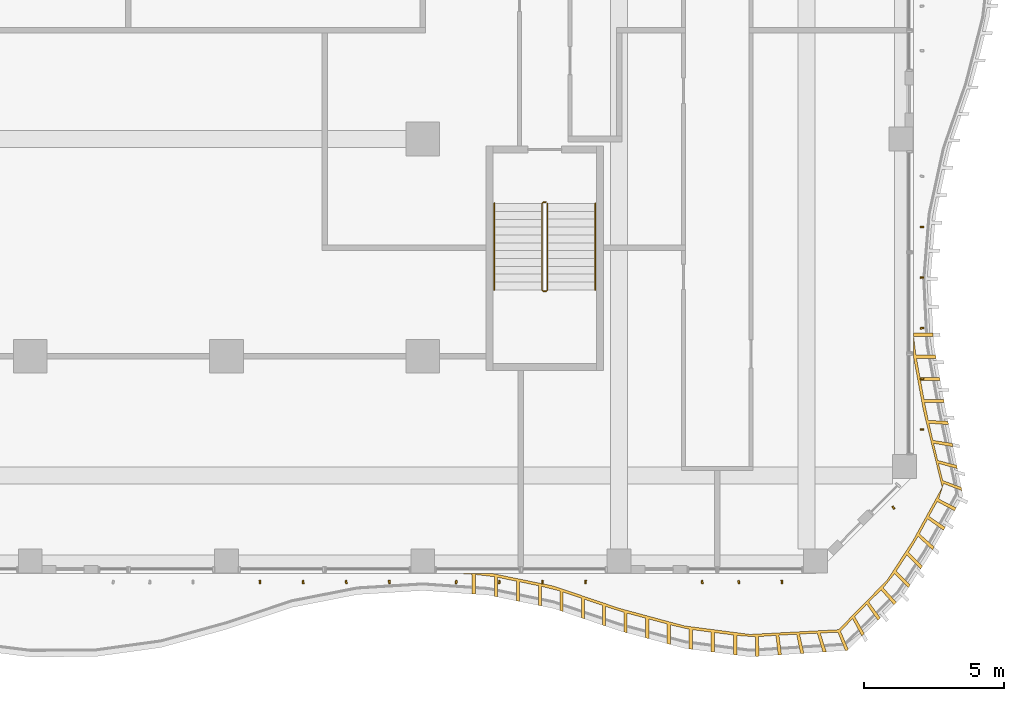
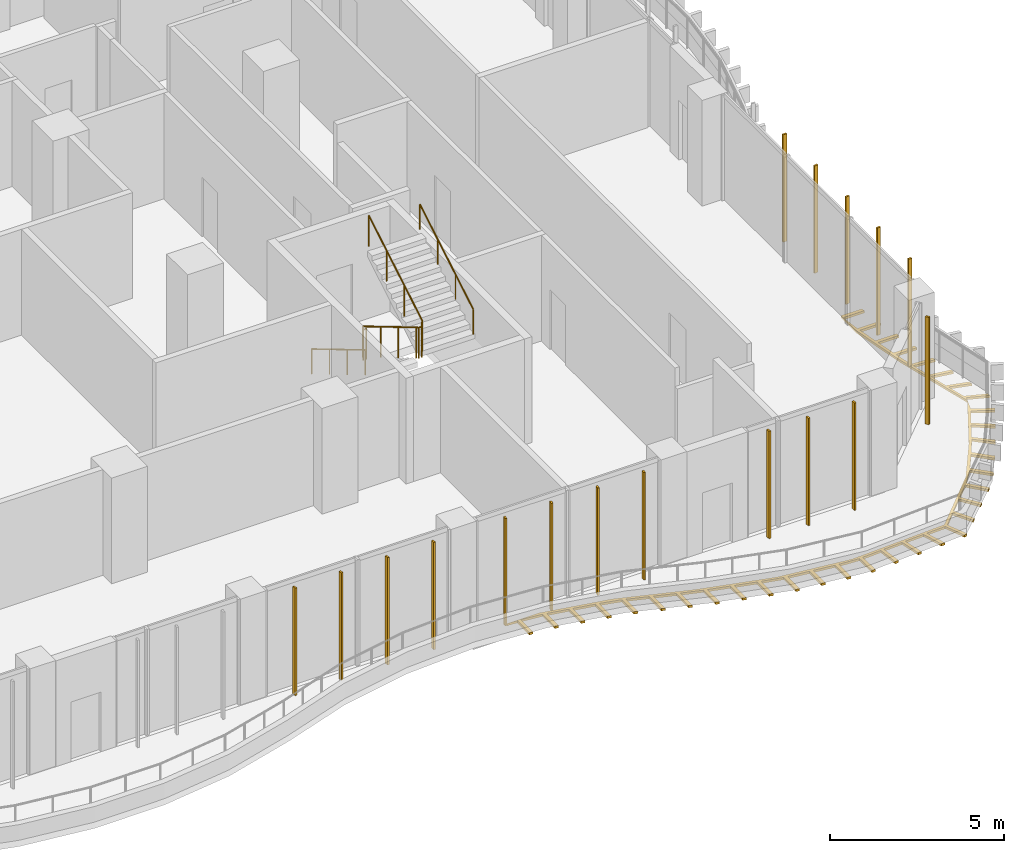
# One storey, part 22 of 27: 18 shading devices, 3 railings.
"""IFC4 building model written with IfcOpenShell, lengths in metres."""

import ifcopenshell
import ifcopenshell.guid

model = None  # the IFC model being written
_history = None  # IfcOwnerHistory: only IFC2X3 demands one
_inside = {}  # id of a spatial element -> (the spatial element, [elements in it])
_under = {}  # id of a project, library or spatial element -> (it, [spatial elements below it])
_declared = {}  # id of a project -> (the project, [libraries it declares])
_typed = {}  # id of a type object -> (the type object, [elements of that type])
_made_of = {}  # id of a material, layer set ... -> (it, [elements and type objects made of it])


def new_model(schema):
    """Start an empty IFC model of exactly this schema.

    Asked for "IFC4X3", IfcOpenShell would pick the latest addendum, in which some entities
    have other attributes; the version numbers below select the first issue.
    IFC2X3 requires an IfcOwnerHistory on every rooted entity: one is made here for all.
    """
    global model, _history
    if schema == "IFC4X3":
        model = ifcopenshell.file(schema_version=(4, 3, 0, 0))
    else:
        model = ifcopenshell.file(schema=schema)
    _inside.clear()
    _under.clear()
    _declared.clear()
    _typed.clear()
    _made_of.clear()
    _history = None
    if model.schema == "IFC2X3":
        org = make("IfcOrganization", Name="unknown")
        user = make(
            "IfcPersonAndOrganization",
            ThePerson=make("IfcPerson", FamilyName="unknown"),
            TheOrganization=org,
        )
        app = make(
            "IfcApplication",
            ApplicationDeveloper=org,
            Version="unknown",
            ApplicationFullName="unknown",
            ApplicationIdentifier="unknown",
        )
        _history = make(
            "IfcOwnerHistory",
            OwningUser=user,
            OwningApplication=app,
            ChangeAction="ADDED",
            CreationDate=0,
        )
    return model


def make(cls, **values):
    """One entity of the class cls with the attributes given. An attribute that is None is left unset."""
    return model.create_entity(
        cls, **{name: value for name, value in values.items() if value is not None}
    )


def rooted(cls, **values):
    """An entity with a GlobalId (a new one), such as an element, a storey or a relation."""
    return make(cls, GlobalId=ifcopenshell.guid.new(), OwnerHistory=_history, **values)


def si_unit(unit_type, name, prefix=None):
    """IfcSIUnit, for example si_unit("LENGTHUNIT", "METRE", prefix="MILLI")."""
    return make("IfcSIUnit", UnitType=unit_type, Prefix=prefix, Name=name)


def assignment(units):
    """IfcUnitAssignment: the units of a project."""
    return None if units is None else make("IfcUnitAssignment", Units=units)


def point(xyz):
    """IfcCartesianPoint."""
    return None if xyz is None else make("IfcCartesianPoint", Coordinates=xyz)


def direction(xyz):
    """IfcDirection."""
    return None if xyz is None else make("IfcDirection", DirectionRatios=xyz)


def frame(location, z_axis=None, x_axis=None):
    """IfcAxis2Placement3D, a coordinate frame: its origin and axes. An axis left out is left unset."""
    return make(
        "IfcAxis2Placement3D",
        Location=point(location),
        Axis=direction(z_axis),
        RefDirection=direction(x_axis),
    )


def frame_2d(location, x_axis=None):
    """IfcAxis2Placement2D, a coordinate frame in the plane: its origin and x axis."""
    return make(
        "IfcAxis2Placement2D", Location=point(location), RefDirection=direction(x_axis)
    )


def origin():
    """The frame at (0, 0, 0) with its axes left unset."""
    return frame((0.0, 0.0, 0.0))


def origin_2d():
    """The frame at (0, 0) in the plane with its x axis left unset."""
    return frame_2d((0.0, 0.0))


def place(relative_to, where):
    """IfcLocalPlacement: puts the frame where relative to a parent placement (None: the world)."""
    return make(
        "IfcLocalPlacement", PlacementRelTo=relative_to, RelativePlacement=where
    )


def context(
    kind, dimensions, precision=None, world=None, true_north=None, identifier=None
):
    """IfcGeometricRepresentationContext, for example the 3D "Model" context."""
    return make(
        "IfcGeometricRepresentationContext",
        ContextIdentifier=identifier,
        ContextType=kind,
        CoordinateSpaceDimension=dimensions,
        Precision=precision,
        WorldCoordinateSystem=world,
        TrueNorth=true_north,
    )


def subcontext(parent, identifier, kind, view, scale=None):
    """IfcGeometricRepresentationSubContext, for example "Body" below "Model"."""
    return make(
        "IfcGeometricRepresentationSubContext",
        ContextIdentifier=identifier,
        ContextType=kind,
        ParentContext=parent,
        TargetScale=scale,
        TargetView=view,
    )


def project(units=None, contexts=None):
    """IfcProject with its units and contexts."""
    return rooted(
        "IfcProject",
        Name="project",
        RepresentationContexts=contexts,
        UnitsInContext=assignment(units),
    )


def spatial(cls, under=None, at=None, **own):
    """A site, building, storey or space (cls), placed at a placement, below another one or the project."""
    s = rooted(cls, ObjectPlacement=at, **own)
    if under is not None:
        _under.setdefault(under.id(), (under, []))[1].append(s)
    return s


def polyline(points):
    """IfcPolyline through the points."""
    return make("IfcPolyline", Points=[point(p) for p in points])


def profile(cls, at=None, kind="AREA", **sizes):
    """A parametric profile (cls). Its sizes go by their IFC names, for example OverallWidth=200.0."""
    return make(cls, ProfileType=kind, Position=at, **sizes)


def rectangle(**sizes):
    """IfcRectangleProfileDef."""
    return profile("IfcRectangleProfileDef", **sizes)


def circle(**sizes):
    """IfcCircleProfileDef."""
    return profile("IfcCircleProfileDef", **sizes)


def outline(outer, holes=None, kind="AREA"):
    """IfcArbitraryClosedProfileDef: a profile drawn as a closed curve; with holes, ...WithVoids."""
    if holes is None:
        return make("IfcArbitraryClosedProfileDef", ProfileType=kind, OuterCurve=outer)
    return make(
        "IfcArbitraryProfileDefWithVoids",
        ProfileType=kind,
        OuterCurve=outer,
        InnerCurves=holes,
    )


def extrude(swept, where, along, depth):
    """IfcExtrudedAreaSolid: the profile swept, set in the frame where, extruded along a direction by depth."""
    return make(
        "IfcExtrudedAreaSolid",
        SweptArea=swept,
        Position=where,
        ExtrudedDirection=direction(along),
        Depth=depth,
    )


def shape(context_of_items, identifier, shape_type, items):
    """IfcShapeRepresentation: the items that make up one representation, for example the "Body"."""
    return make(
        "IfcShapeRepresentation",
        ContextOfItems=context_of_items,
        RepresentationIdentifier=identifier,
        RepresentationType=shape_type,
        Items=items,
    )


def source(mapping_origin, context_of_items, identifier, shape_type, items):
    """IfcRepresentationMap: a shape defined once, which mapped items show again and again."""
    return make(
        "IfcRepresentationMap",
        MappingOrigin=mapping_origin,
        MappedRepresentation=shape(context_of_items, identifier, shape_type, items),
    )


def transform(
    local_origin,
    x_axis=None,
    y_axis=None,
    z_axis=None,
    scale=None,
    scale2=None,
    scale3=None,
    uniform=True,
):
    """IfcCartesianTransformationOperator3D, or its non-uniform kind. x_axis, y_axis, z_axis: its Axis1, 2, 3."""
    if uniform:
        return make(
            "IfcCartesianTransformationOperator3D",
            Axis1=direction(x_axis),
            Axis2=direction(y_axis),
            LocalOrigin=point(local_origin),
            Scale=scale,
            Axis3=direction(z_axis),
        )
    return make(
        "IfcCartesianTransformationOperator3DnonUniform",
        Axis1=direction(x_axis),
        Axis2=direction(y_axis),
        LocalOrigin=point(local_origin),
        Scale=scale,
        Axis3=direction(z_axis),
        Scale2=scale2,
        Scale3=scale3,
    )


def mapped(mapping_source, mapping_target):
    """IfcMappedItem: shows the shape of a source again, moved by a transform."""
    return make(
        "IfcMappedItem", MappingSource=mapping_source, MappingTarget=mapping_target
    )


def material(Name=None, Category=None):
    """IfcMaterial."""
    return make("IfcMaterial", Name=Name, Category=Category)


def layer(
    of_material, thickness, ventilated=None, Name=None, Category=None, Priority=None
):
    """IfcMaterialLayer: one layer of a wall or slab, of a material (None: an air gap)."""
    return make(
        "IfcMaterialLayer",
        Material=of_material,
        LayerThickness=thickness,
        IsVentilated=ventilated,
        Name=Name,
        Category=Category,
        Priority=Priority,
    )


def layer_set(layers, Name=None):
    """IfcMaterialLayerSet."""
    return make("IfcMaterialLayerSet", MaterialLayers=layers, LayerSetName=Name)


def material_profile(
    of_material, cross_section, Name=None, Category=None, Priority=None
):
    """IfcMaterialProfile: a cross section and its material."""
    return make(
        "IfcMaterialProfile",
        Name=Name,
        Material=of_material,
        Profile=cross_section,
        Priority=Priority,
        Category=Category,
    )


def profile_set(profiles, Name=None, composite=None):
    """IfcMaterialProfileSet."""
    return make(
        "IfcMaterialProfileSet",
        Name=Name,
        MaterialProfiles=profiles,
        CompositeProfile=composite,
    )


def made_of(thing, what):
    """Note that an element or type object is made of a material, layer set ...; save() writes the relation."""
    if what is not None:
        _made_of.setdefault(what.id(), (what, []))[1].append(thing)
    return thing


def type_object(cls, material=None, **own):
    """A type object (cls), such as IfcWallType, which elements share."""
    return made_of(rooted(cls, **own), material)


def element(
    cls,
    number,
    at=None,
    inside=None,
    cuts=None,
    type_object=None,
    material=None,
    context=None,
    identifier="Body",
    shape_type=None,
    held_by="IfcProductDefinitionShape",
    body=None,
    shapes=None,
    **own,
):
    """One element of the class cls, such as IfcWall. Its Tag is "e" and its number.

    at: its placement. inside: the storey or other place that contains it. cuts: it is an
    opening in that element (IfcRelVoidsElement). A single representation is given by context,
    identifier, shape_type and body (its items); several are given by shapes. held_by: the class
    of the entity that holds the representations. save() writes the other relations.
    """
    e = rooted(cls, Tag="e%d" % number, ObjectPlacement=at, **own)
    if body is not None:
        shapes = [shape(context, identifier, shape_type, body)]
    if shapes is not None:
        e.Representation = make(held_by, Representations=shapes)
    if inside is not None:
        _inside.setdefault(inside.id(), (inside, []))[1].append(e)
    if cuts is not None:
        rooted(
            "IfcRelVoidsElement", RelatingBuildingElement=cuts, RelatedOpeningElement=e
        )
    if type_object is not None:
        _typed.setdefault(type_object.id(), (type_object, []))[1].append(e)
    return made_of(e, material)


def aggregate(whole, parts):
    """IfcRelAggregates: a whole, such as a stair, and the parts it consists of."""
    return rooted("IfcRelAggregates", RelatingObject=whole, RelatedObjects=parts)


def save(model, path):
    """Write the relations noted so far, then the file.

    IfcRelAggregates (storeys below a building ...), IfcRelContainedInSpatialStructure (elements
    in a storey), IfcRelDefinesByType, IfcRelAssociatesMaterial and IfcRelDeclares: one each for
    every whole, place, type object, material and project.
    """
    for whole, parts in _under.values():
        aggregate(whole, parts)
    for where, things in _inside.values():
        rooted(
            "IfcRelContainedInSpatialStructure",
            RelatedElements=things,
            RelatingStructure=where,
        )
    for kind, things in _typed.values():
        rooted("IfcRelDefinesByType", RelatedObjects=things, RelatingType=kind)
    for what, things in _made_of.values():
        rooted("IfcRelAssociatesMaterial", RelatedObjects=things, RelatingMaterial=what)
    for by, libraries in _declared.values():
        rooted("IfcRelDeclares", RelatingContext=by, RelatedDefinitions=libraries)
    model.write(path)


model = new_model("IFC4")

# Units and contexts
model_context = context("Model", 3, precision=1e-05, world=origin(), true_north=direction((0.0, 1.0)))
body_context = subcontext(model_context, "Body", "Model", "MODEL_VIEW")
ifc_project = project(units=[si_unit("LENGTHUNIT", "METRE"), si_unit("AREAUNIT", "SQUARE_METRE"), si_unit("VOLUMEUNIT", "CUBIC_METRE"), si_unit("PLANEANGLEUNIT", "RADIAN"), si_unit("MASSUNIT", "GRAM", prefix="KILO")], contexts=[model_context])

# Site, building, storey
site_placement = place(None, origin())
site = spatial("IfcSite", under=ifc_project, at=site_placement, CompositionType="ELEMENT")
building_placement = place(site_placement, origin())
building = spatial("IfcBuilding", under=site, at=building_placement, Name="Kilnfold Tower and Market Hall", CompositionType="ELEMENT")
storey_placement = place(building_placement, frame((0.0, 0.0, 116.60009765625)))
storey = spatial("IfcBuildingStorey", under=building, at=storey_placement, Name="L27", CompositionType="ELEMENT", Elevation=116.60009765625)

# Railings
ifc_material_1 = material(Name="Stainless steel 316", Category="steel")
railing_type_1 = type_object("IfcRailingType", Name="CORE STAIR GUARD 1100", PredefinedType="GUARDRAIL", material=ifc_material_1)
railing_1_placement = place(storey_placement, frame((19.89990234375, -9.75, 0.0)))
element("IfcRailing", 1, at=railing_1_placement, inside=storey, type_object=railing_type_1, Name="L27 ST4 stair guard 1", PredefinedType="GUARDRAIL", context=body_context, shape_type="SweptSolid", body=[
    extrude(circle(Radius=0.02392578125, at=origin_2d()), frame((0.0, 0.0, 1.076171875), z_axis=(-1.0, 0.0, 0.0), x_axis=(0.0, -1.0, 0.0)), (0.0, 0.0, 1.0), 0.099853515625),
    extrude(circle(Radius=0.02392578125, at=origin_2d()), frame((-0.099853515625, 0.0, 1.076171875), z_axis=(-0.27662974545, -0.27662974545, 0.920299933644), x_axis=(0.707106781187, -0.707106781187, 0.0)), (0.0, 0.0, 1.0), 0.180908203125),
    extrude(circle(Radius=0.02392578125, at=origin_2d()), frame((-0.14990234375, -0.050048828125, 1.24267578125), z_axis=(0.0, -0.859260807169, 0.511537745687), x_axis=(1.0, 0.0, 0.0)), (0.0, 0.0, 1.0), 3.584228515625),
    extrude(circle(Radius=0.02392578125, at=origin_2d()), frame((-0.14990234375, -3.1298828125, 3.076171875), z_axis=(0.707106781187, -0.707106781187, 0.0), x_axis=(0.707106781187, 0.707106781187, 0.0)), (0.0, 0.0, 1.0), 0.07080078125),
    extrude(circle(Radius=0.02392578125, at=origin_2d()), frame((-0.099853515625, -3.179931640625, 3.076171875), z_axis=(1.0, 0.0, 0.0), x_axis=(0.0, 1.0, 0.0)), (0.0, 0.0, 1.0), 0.099853515625),
    extrude(circle(Radius=0.02392578125, at=origin_2d()), frame((0.0, -3.179931640625, 3.076171875), z_axis=(0.27662974545, 0.27662974545, 0.920299933644), x_axis=(-0.707106781187, 0.707106781187, 0.0)), (0.0, 0.0, 1.0), 0.180908203125),
    extrude(circle(Radius=0.02392578125, at=origin_2d()), frame((0.050048828125, -3.1298828125, 3.24267578125), z_axis=(0.0, 0.859260807169, 0.511537745687), x_axis=(-1.0, 0.0, 0.0)), (0.0, 0.0, 1.0), 3.584228515625),
    extrude(circle(Radius=0.02099609375, at=origin_2d()), origin(), (0.0, 0.0, 1.0), 1.052001953125),
    extrude(circle(Radius=0.02099609375, at=origin_2d()), frame((-0.099853515625, 0.0, 0.0)), (0.0, 0.0, 1.0), 1.052001953125),
    extrude(circle(Radius=0.02099609375, at=origin_2d()), frame((-0.14990234375, -0.050048828125, 0.16650390625)), (0.0, 0.0, 1.0), 1.052001953125),
    extrude(circle(Radius=0.02099609375, at=origin_2d()), frame((-0.14990234375, -1.07666015625, 0.777587890625)), (0.0, 0.0, 1.0), 1.052001953125),
    extrude(circle(Radius=0.02099609375, at=origin_2d()), frame((-0.14990234375, -2.103271484375, 1.388916015625)), (0.0, 0.0, 1.0), 1.052001953125),
    extrude(circle(Radius=0.02099609375, at=origin_2d()), frame((-0.14990234375, -3.1298828125, 2.0)), (0.0, 0.0, 1.0), 1.052001953125),
    extrude(circle(Radius=0.02099609375, at=origin_2d()), frame((-0.099853515625, -3.179931640625, 2.0)), (0.0, 0.0, 1.0), 1.052001953125),
    extrude(circle(Radius=0.02099609375, at=origin_2d()), frame((0.0, -3.179931640625, 2.0)), (0.0, 0.0, 1.0), 1.052001953125),
    extrude(circle(Radius=0.02099609375, at=origin_2d()), frame((0.050048828125, -3.1298828125, 2.16650390625)), (0.0, 0.0, 1.0), 1.052001953125),
    extrude(circle(Radius=0.02099609375, at=origin_2d()), frame((0.050048828125, -2.103271484375, 2.777587890625)), (0.0, 0.0, 1.0), 1.052001953125),
    extrude(circle(Radius=0.02099609375, at=origin_2d()), frame((0.050048828125, -1.07666015625, 3.388916015625)), (0.0, 0.0, 1.0), 1.052001953125),
    extrude(circle(Radius=0.02099609375, at=origin_2d()), frame((0.050048828125, -0.050048828125, 4.0)), (0.0, 0.0, 1.0), 1.052001953125),
])
ifc_material_2 = material(Name="Stainless steel 316", Category="steel")
railing_type_2 = type_object("IfcRailingType", Name="CORE STAIR HANDRAIL 900", PredefinedType="HANDRAIL", material=ifc_material_2)
railing_2_placement = place(storey_placement, frame((18.050048828125, -9.800048828125, 0.16650390625)))
element("IfcRailing", 2, at=railing_2_placement, inside=storey, type_object=railing_type_2, Name="L27 ST4 stair handrail 1", PredefinedType="HANDRAIL", context=body_context, shape_type="SweptSolid", body=[
    extrude(circle(Radius=0.02392578125, at=origin_2d()), frame((0.0, 0.0, 0.8759765625), z_axis=(0.0, -0.859260807169, 0.511537745687), x_axis=(1.0, 0.0, 0.0)), (0.0, 0.0, 1.0), 3.584228515625),
    extrude(circle(Radius=0.02099609375, at=origin_2d()), origin(), (0.0, 0.0, 1.0), 0.851806640625),
    extrude(circle(Radius=0.02099609375, at=origin_2d()), frame((0.0, -1.026611328125, 0.611083984375)), (0.0, 0.0, 1.0), 0.851806640625),
    extrude(circle(Radius=0.02099609375, at=origin_2d()), frame((0.0, -2.05322265625, 1.222412109375)), (0.0, 0.0, 1.0), 0.851806640625),
    extrude(circle(Radius=0.02099609375, at=origin_2d()), frame((0.0, -3.079833984375, 1.83349609375)), (0.0, 0.0, 1.0), 0.851806640625),
])
railing_3_placement = place(storey_placement, frame((21.64990234375, -12.8798828125, 2.16650390625)))
element("IfcRailing", 3, at=railing_3_placement, inside=storey, type_object=railing_type_2, Name="L27 ST4 stair handrail 2", PredefinedType="HANDRAIL", context=body_context, shape_type="SweptSolid", body=[
    extrude(circle(Radius=0.02392578125, at=origin_2d()), frame((0.0, 0.0, 0.8759765625), z_axis=(0.0, 0.859260807169, 0.511537745687), x_axis=(-1.0, 0.0, 0.0)), (0.0, 0.0, 1.0), 3.584228515625),
    extrude(circle(Radius=0.02099609375, at=origin_2d()), origin(), (0.0, 0.0, 1.0), 0.851806640625),
    extrude(circle(Radius=0.02099609375, at=origin_2d()), frame((0.0, 1.026611328125, 0.611083984375)), (0.0, 0.0, 1.0), 0.851806640625),
    extrude(circle(Radius=0.02099609375, at=origin_2d()), frame((0.0, 2.05322265625, 1.222412109375)), (0.0, 0.0, 1.0), 0.851806640625),
    extrude(circle(Radius=0.02099609375, at=origin_2d()), frame((0.0, 3.079833984375, 1.83349609375)), (0.0, 0.0, 1.0), 0.851806640625),
])

# Shading devices
ifc_material_3 = material(Name="Terracotta", Category="masonry")
ifc_material_profile = material_profile(ifc_material_3, rectangle(XDim=0.06005859375, YDim=0.1201171875, at=origin_2d()), Name="BAG 60x120")
ifc_profile_set = profile_set([ifc_material_profile], Name="Terracotta")
shading_device_type_1 = type_object("IfcShadingDeviceType", Name="BAGUETTE", PredefinedType="USERDEFINED", material=ifc_profile_set)
shared_shape_1 = source(origin(), body_context, "Body", "SweptSolid", [
    extrude(rectangle(XDim=0.06005859375, YDim=0.1201171875, at=origin_2d()), origin(), (0.0, 0.0, 1.0), 3.77978515625),
])
for number, where, z_axis, x_axis, name in (
    (4, (9.69384765625, -23.300048828125, 0.0), (0.0, 0.0, 1.0), (0.996501616509, 0.083573490385, 0.0), "Terracotta baguette L27 S"),
    (5, (11.231201171875, -23.300048828125, 0.0), (0.0, 0.0, 1.0), (0.990809088149, 0.135267700656, 0.0), "Terracotta baguette L27 S"),
    (6, (12.768798828125, -23.300048828125, 0.0), (0.0, 0.0, 1.0), (0.992120825067, 0.125284749544, 0.0), "Terracotta baguette L27 S"),
    (7, (14.306396484375, -23.300048828125, 0.0), (0.0, 0.0, 1.0), (0.998314275476, 0.05803970521, 0.0), "Terracotta baguette L27 S"),
    (8, (16.693603515625, -23.300048828125, 0.0), (0.0, 0.0, 1.0), (0.996501616509, -0.083573490385, 0.0), "Terracotta baguette L27 S"),
    (9, (18.231201171875, -23.300048828125, 0.0), (0.0, 0.0, 1.0), (0.990809088149, -0.135267700656, 0.0), "Terracotta baguette L27 S"),
    (10, (19.768798828125, -23.300048828125, 0.0), (0.0, 0.0, 1.0), (0.992120825067, -0.125284749544, 0.0), "Terracotta baguette L27 S"),
    (11, (21.306396484375, -23.300048828125, 0.0), (0.0, 0.0, 1.0), (0.998314275476, -0.05803970521, 0.0), "Terracotta baguette L27 S"),
    (12, (25.46240234375, -23.300048828125, 0.0), (0.0, 0.0, 1.0), (0.990442658343, 0.137925126549, 0.0), "Terracotta baguette L27 S"),
    (13, (26.768798828125, -23.300048828125, 0.0), (0.0, 0.0, 1.0), (0.992120825067, 0.125284749544, 0.0), "Terracotta baguette L27 S"),
    (14, (28.306396484375, -23.300048828125, 0.0), (0.0, 0.0, 1.0), (0.998314275476, 0.05803970521, 0.0), "Terracotta baguette L27 S"),
    (15, (32.28173828125, -20.642578125, 0.0), (0.0, 0.0, 1.0), (0.797466000374, 0.603363885435, 0.0), "Terracotta baguette L27 SE"),
    (16, (33.300048828125, -17.854248046875, 0.0), (0.0, 0.0, 1.0), (0.010417681861, 0.99994573448, 0.0), "Terracotta baguette L27 E"),
    (17, (33.300048828125, -16.048828125, 0.0), (0.0, 0.0, 1.0), (-0.093550534301, 0.995614532604, 0.0), "Terracotta baguette L27 E"),
    (18, (33.300048828125, -14.243408203125, 0.0), (0.0, 0.0, 1.0), (-0.139129892232, 0.990274140371, 0.0), "Terracotta baguette L27 E"),
    (19, (33.300048828125, -12.438232421875, 0.0), (0.0, 0.0, 1.0), (-0.098592046121, 0.995127935716, 0.0), "Terracotta baguette L27 E"),
    (20, (33.300048828125, -10.6328125, 0.0), (0.0, 0.0, 1.0), (0.003433055895, 0.999994107046, 0.0), "Terracotta baguette L27 E"),
):
    element("IfcShadingDevice", number, at=place(storey_placement, frame(where, z_axis=z_axis, x_axis=x_axis)), inside=storey, type_object=shading_device_type_1, Name=name, ObjectType="BAGUETTE", PredefinedType="USERDEFINED", context=body_context, shape_type="MappedRepresentation", body=[
        mapped(shared_shape_1, transform((0.0, 0.0, 0.0))),
    ])
ifc_material_4 = material(Name="Bronze anodised aluminium", Category="aluminium")
ifc_layer = layer(ifc_material_4, 0.080078125)
ifc_layer_set = layer_set([ifc_layer], Name="Bronze anodised aluminium")
shading_device_type_2 = type_object("IfcShadingDeviceType", Name="BRONZE SLAT SOFFIT 80", PredefinedType="USERDEFINED", material=ifc_layer_set)
shared_shape_2 = source(origin(), body_context, "Body", "SweptSolid", [
    extrude(outline(polyline([(20.166748046875, -23.440185546875), (22.5, -24.232177734375), (24.833251953125, -24.860595703125), (27.166748046875, -25.1640625), (30.326416015625, -24.9951171875), (32.060302734375, -23.226806640625), (32.98095703125, -21.814208984375), (34.022216796875, -19.923583984375), (33.3466796875, -17.166748046875), (33.0, -15.27880859375), (33.0, -14.41455078125), (33.697509765625, -14.41455078125), (33.703369140625, -14.534423828125), (33.00341796875, -14.534423828125), (33.0869140625, -15.207763671875), (33.787109375, -15.207763671875), (33.80859375, -15.32568359375), (33.108642578125, -15.32568359375), (33.2314453125, -15.99462890625), (33.931396484375, -15.99462890625), (33.953125, -16.112548828125), (33.253173828125, -16.112548828125), (33.3759765625, -16.781494140625), (34.075927734375, -16.781494140625), (34.09765625, -16.8994140625), (33.397705078125, -16.8994140625), (33.52783203125, -17.53173828125), (34.22705078125, -17.56689453125), (34.250732421875, -17.684814453125), (33.55224609375, -17.638916015625), (33.6923828125, -18.245849609375), (34.384521484375, -18.351318359375), (34.408203125, -18.468994140625), (33.7177734375, -18.352783203125), (33.8642578125, -18.96044921875), (34.5419921875, -19.1357421875), (34.5654296875, -19.25341796875), (33.890380859375, -19.06787109375), (34.04248046875, -19.677490234375), (34.69921875, -19.920166015625), (34.722900390625, -20.03759765625), (34.06982421875, -19.785400390625), (33.898681640625, -20.335205078125), (34.523193359375, -20.6513671875), (34.464111328125, -20.755859375), (33.845703125, -20.427734375), (33.55078125, -20.954345703125), (34.129638671875, -21.347900390625), (34.07080078125, -21.452392578125), (33.49951171875, -21.047607421875), (33.21240234375, -21.580078125), (33.736083984375, -22.04443359375), (33.67724609375, -22.148681640625), (33.162109375, -21.6748046875), (32.8251953125, -22.232421875), (33.3203125, -22.727294921875), (33.254638671875, -22.827880859375), (32.759765625, -22.332763671875), (32.388427734375, -22.902587890625), (32.88330078125, -23.3974609375), (32.81787109375, -23.498046875), (32.322998046875, -23.0029296875), (31.918701171875, -23.504638671875), (32.390625, -24.021728515625), (32.3046875, -24.10546875), (31.841552734375, -23.58056640625), (31.406982421875, -24.012939453125), (31.817626953125, -24.579833984375), (31.731689453125, -24.66357421875), (31.330810546875, -24.089599609375), (30.9013671875, -24.528076171875), (31.244384765625, -25.13818359375), (31.158447265625, -25.2216796875), (30.82568359375, -24.60595703125), (30.398681640625, -25.051513671875), (30.67138671875, -25.6962890625), (30.632568359375, -25.734130859375), (30.56689453125, -25.738525390625), (30.3037109375, -25.08984375), (29.67529296875, -25.11669921875), (29.888427734375, -25.78369140625), (29.768798828125, -25.79150390625), (29.564697265625, -25.121826171875), (28.938720703125, -25.153076171875), (29.090087890625, -25.83642578125), (28.970458984375, -25.844482421875), (28.828369140625, -25.158935546875), (28.20361328125, -25.195068359375), (28.2919921875, -25.889404296875), (28.17236328125, -25.8974609375), (28.09326171875, -25.201904296875), (27.46826171875, -25.242919921875), (27.49365234375, -25.9423828125), (27.3740234375, -25.9501953125), (27.35791015625, -25.25048828125), (26.698486328125, -25.203125), (26.698486328125, -25.9033203125), (26.579345703125, -25.8876953125), (26.579345703125, -25.187744140625), (25.905029296875, -25.10009765625), (25.905029296875, -25.800048828125), (25.7861328125, -25.784423828125), (25.7861328125, -25.08447265625), (25.11181640625, -24.99658203125), (25.11181640625, -25.69677734375), (24.992919921875, -25.681396484375), (24.992919921875, -24.981201171875), (24.33203125, -24.825439453125), (24.33203125, -25.525390625), (24.216064453125, -25.494384765625), (24.216064453125, -24.794189453125), (23.5595703125, -24.617431640625), (23.5595703125, -25.3173828125), (23.443603515625, -25.2861328125), (23.443603515625, -24.586181640625), (22.787109375, -24.409423828125), (22.787109375, -25.109375), (22.671142578125, -25.078125), (22.671142578125, -24.378173828125), (22.02392578125, -24.17041015625), (22.02392578125, -24.87060546875), (21.910400390625, -24.831787109375), (21.910400390625, -24.1318359375), (21.266357421875, -23.913330078125), (21.266357421875, -24.61328125), (21.15283203125, -24.57470703125), (21.15283203125, -23.874755859375), (20.5087890625, -23.65625), (20.5087890625, -24.356201171875), (20.395263671875, -24.317626953125), (20.395263671875, -23.61767578125), (19.73681640625, -23.4521484375), (19.73681640625, -24.152099609375), (19.619384765625, -24.128173828125), (19.619384765625, -23.427978515625), (18.953125, -23.291748046875), (18.953125, -23.99169921875), (18.835693359375, -23.9677734375), (18.835693359375, -23.267578125), (18.16943359375, -23.13134765625), (18.16943359375, -23.831298828125), (18.0517578125, -23.807373046875), (18.0517578125, -23.107421875), (17.37744140625, -23.031005859375), (17.37744140625, -23.73095703125), (17.2578125, -23.722412109375), (17.2578125, -23.0224609375), (16.934326171875, -23.0), (18.01611328125, -23.0), (20.166748046875, -23.440185546875)])), origin(), (0.0, 0.0, 1.0), 0.079833984375),
])
shading_device_placement = place(storey_placement, frame((0.0, 0.0, -0.300048828125)))
element("IfcShadingDevice", 21, at=shading_device_placement, inside=storey, type_object=shading_device_type_2, Name="Balcony soffit slats L27", ObjectType="SLAT", PredefinedType="USERDEFINED", context=body_context, shape_type="MappedRepresentation", body=[
    mapped(shared_shape_2, transform((0.0, 0.0, 0.0))),
])

save(model, "model.ifc")
